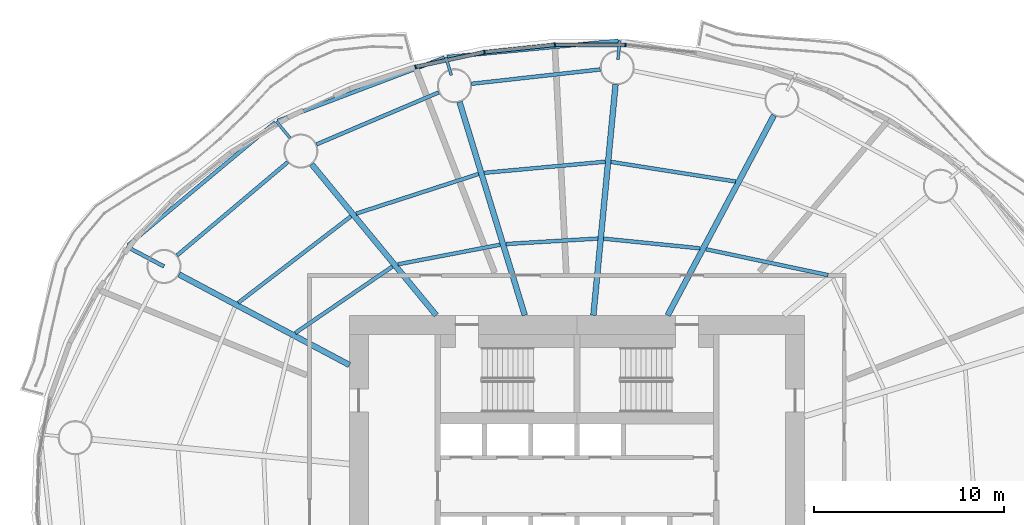
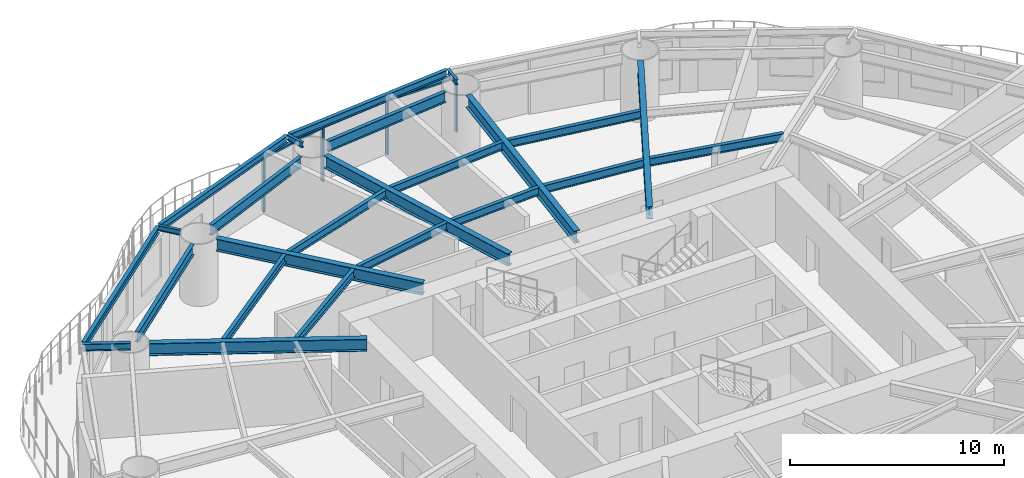
# One storey, part 5 of 16: 24 beams, 7 members, 3 elements without a shape of their own.
"""IFC4 building model written with IfcOpenShell, lengths in metres."""

from ifc_helpers import new_model, si_unit, direction, frame, origin, origin_2d, place, context, subcontext, project, spatial, rectangle, i_section, extrude, material, material_profile, profile_set, type_object, element, aggregate, save


model = new_model("IFC4")

# Units and contexts
model_context = context("Model", 3, precision=1e-05, world=origin(), true_north=direction((0.0, 1.0)))
body_context = subcontext(model_context, "Body", "Model", "MODEL_VIEW")
ifc_project = project(units=[si_unit("LENGTHUNIT", "METRE"), si_unit("AREAUNIT", "SQUARE_METRE"), si_unit("VOLUMEUNIT", "CUBIC_METRE"), si_unit("PLANEANGLEUNIT", "RADIAN"), si_unit("MASSUNIT", "GRAM", prefix="KILO")], contexts=[model_context])

# Site, building, storey
site_placement = place(None, origin())
site = spatial("IfcSite", under=ifc_project, at=site_placement, CompositionType="ELEMENT")
building_placement = place(site_placement, origin())
building = spatial("IfcBuilding", under=site, at=building_placement, Name="Vermilion Reach Broadcast Tower", CompositionType="ELEMENT")
storey_placement = place(building_placement, frame((0.0, 0.0, 47.10009765625)))
storey = spatial("IfcBuildingStorey", under=building, at=storey_placement, Name="L08", CompositionType="ELEMENT", Elevation=47.10009765625)

# Beams
ifc_material_1 = material(Name="Steel S355J2", Category="steel")
ifc_material_profile_1 = material_profile(ifc_material_1, i_section(OverallWidth=0.199951171875, OverallDepth=0.39990234375, WebThickness=0.008056640625, FlangeThickness=0.012939453125, at=origin_2d()), Name="S355J2 HN 400x200x8x13")
ifc_profile_set_1 = profile_set([ifc_material_profile_1], Name="Steel S355J2")
beam_type_1 = type_object("IfcBeamType", Name="EB1 HN 400x200x8x13", PredefinedType="BEAM", material=ifc_profile_set_1)
beam_1_placement = place(storey_placement, frame((-3.819091796875, 23.475341796875, 3.349853515625), z_axis=(-0.995521949385, -0.094530673821, 0.0), x_axis=(0.094530673821, -0.995521949385, 0.0)))
element("IfcBeam", 1, at=beam_1_placement, inside=storey, type_object=beam_type_1, Name="Edge beam EB1-04", PredefinedType="BEAM", context=body_context, shape_type="SweptSolid", body=[
    extrude(i_section(OverallWidth=0.199951171875, OverallDepth=0.39990234375, WebThickness=0.008056640625, FlangeThickness=0.012939453125, at=origin_2d()), origin(), (0.0, 0.0, 1.0), 9.0625),
])
beam_2_placement = place(storey_placement, frame((-12.987548828125, 22.584716796875, 3.349853515625), z_axis=(-0.935124251482, -0.354319960332, 0.0), x_axis=(0.354319960332, -0.935124251482, 0.0)))
element("IfcBeam", 2, at=beam_2_placement, inside=storey, type_object=beam_type_1, Name="Edge beam EB1-05", PredefinedType="BEAM", context=body_context, shape_type="SweptSolid", body=[
    extrude(i_section(OverallWidth=0.199951171875, OverallDepth=0.39990234375, WebThickness=0.008056640625, FlangeThickness=0.012939453125, at=origin_2d()), origin(), (0.0, 0.0, 1.0), 9.40185546875),
])
beam_3_placement = place(storey_placement, frame((-21.911376953125, 19.17724609375, 3.349853515625), z_axis=(-0.76740924852, -0.641157582257, 0.0), x_axis=(0.641157582257, -0.76740924852, 0.0)))
element("IfcBeam", 3, at=beam_3_placement, inside=storey, type_object=beam_type_1, Name="Edge beam EB1-06", PredefinedType="BEAM", context=body_context, shape_type="SweptSolid", body=[
    extrude(i_section(OverallWidth=0.199951171875, OverallDepth=0.39990234375, WebThickness=0.008056640625, FlangeThickness=0.012939453125, at=origin_2d()), origin(), (0.0, 0.0, 1.0), 10.111572265625),
])
ifc_material_2 = material(Name="Steel S355J2", Category="steel")
ifc_material_profile_2 = material_profile(ifc_material_2, i_section(OverallWidth=0.300048828125, OverallDepth=0.699951171875, WebThickness=0.012939453125, FlangeThickness=0.02392578125, at=origin_2d()), Name="S355J2 HN 700x300x13x24")
ifc_profile_set_2 = profile_set([ifc_material_profile_2], Name="Steel S355J2")
beam_type_2 = type_object("IfcBeamType", Name="G1 HN 700x300x13x24", PredefinedType="BEAM", material=ifc_profile_set_2)
beam_4_placement = place(storey_placement, frame((-1.216552734375, 9.0, 3.199951171875), z_axis=(0.469312182262, 0.883032318537, 0.0), x_axis=(-0.883032318537, 0.469312182262, 0.0)))
element("IfcBeam", 4, at=beam_4_placement, inside=storey, type_object=beam_type_2, Name="Girder G1-03", PredefinedType="BEAM", context=body_context, shape_type="SweptSolid", body=[
    extrude(i_section(OverallWidth=0.300048828125, OverallDepth=0.699951171875, WebThickness=0.012939453125, FlangeThickness=0.02392578125, at=origin_2d()), origin(), (0.0, 0.0, 1.0), 11.94091796875),
])
beam_5_placement = place(storey_placement, frame((-5.135009765625, 9.0, 3.199951171875), z_axis=(0.09566673912, 0.995413419151, 0.0), x_axis=(-0.995413419151, 0.09566673912, 0.0)))
element("IfcBeam", 5, at=beam_5_placement, inside=storey, type_object=beam_type_2, Name="Girder G1-04", PredefinedType="BEAM", context=body_context, shape_type="SweptSolid", body=[
    extrude(i_section(OverallWidth=0.300048828125, OverallDepth=0.699951171875, WebThickness=0.012939453125, FlangeThickness=0.02392578125, at=origin_2d()), origin(), (0.0, 0.0, 1.0), 12.22412109375),
])
beam_6_placement = place(storey_placement, frame((-8.753173828125, 9.0, 3.199951171875), z_axis=(-0.292542302886, 0.95625258223, 0.0), x_axis=(-0.95625258223, -0.292542302886, 0.0)))
element("IfcBeam", 6, at=beam_6_placement, inside=storey, type_object=beam_type_2, Name="Girder G1-05", PredefinedType="BEAM", context=body_context, shape_type="SweptSolid", body=[
    extrude(i_section(OverallWidth=0.300048828125, OverallDepth=0.699951171875, WebThickness=0.012939453125, FlangeThickness=0.02392578125, at=origin_2d()), origin(), (0.0, 0.0, 1.0), 11.76220703125),
])
beam_7_placement = place(storey_placement, frame((-13.421630859375, 9.0, 3.199951171875), z_axis=(-0.636215165107, 0.77151167437, 0.0), x_axis=(-0.77151167437, -0.636215165107, 0.0)))
element("IfcBeam", 7, at=beam_7_placement, inside=storey, type_object=beam_type_2, Name="Girder G1-06", PredefinedType="BEAM", context=body_context, shape_type="SweptSolid", body=[
    extrude(i_section(OverallWidth=0.300048828125, OverallDepth=0.699951171875, WebThickness=0.012939453125, FlangeThickness=0.02392578125, at=origin_2d()), origin(), (0.0, 0.0, 1.0), 10.3251953125),
])
beam_8_placement = place(storey_placement, frame((-18.0, 6.3779296875, 3.199951171875), z_axis=(-0.883032139419, 0.469312519279, 0.0), x_axis=(-0.469312519279, -0.883032139419, 0.0)))
element("IfcBeam", 8, at=beam_8_placement, inside=storey, type_object=beam_type_2, Name="Girder G1-07", PredefinedType="BEAM", context=body_context, shape_type="SweptSolid", body=[
    extrude(i_section(OverallWidth=0.300048828125, OverallDepth=0.699951171875, WebThickness=0.012939453125, FlangeThickness=0.02392578125, at=origin_2d()), origin(), (0.0, 0.0, 1.0), 10.17529296875),
])
ifc_material_3 = material(Name="Steel S355J2", Category="steel")
ifc_material_profile_3 = material_profile(ifc_material_3, i_section(OverallWidth=0.199951171875, OverallDepth=0.39990234375, WebThickness=0.008056640625, FlangeThickness=0.012939453125, at=origin_2d()), Name="S355J2 HN 400x200x8x13")
ifc_profile_set_3 = profile_set([ifc_material_profile_3], Name="Steel S355J2")
beam_type_3 = type_object("IfcBeamType", Name="GC1 HN 400x200x8x13", PredefinedType="BEAM", material=ifc_profile_set_3)
beam_9_placement = place(storey_placement, frame((-27.77978515625, 11.57568359375, 3.349853515625), z_axis=(-0.883056325824, 0.469267008665, 0.0), x_axis=(-0.469267008665, -0.883056325824, 0.0)))
element("IfcBeam", 9, at=beam_9_placement, inside=storey, type_object=beam_type_3, Name="Cantilever girder GC1-07", PredefinedType="BEAM", context=body_context, shape_type="SweptSolid", body=[
    extrude(i_section(OverallWidth=0.199951171875, OverallDepth=0.39990234375, WebThickness=0.008056640625, FlangeThickness=0.012939453125, at=origin_2d()), origin(), (0.0, 0.0, 1.0), 2.235595703125),
])
ifc_material_4 = material(Name="Steel S355J2", Category="steel")
ifc_material_profile_4 = material_profile(ifc_material_4, i_section(OverallWidth=0.14990234375, OverallDepth=0.300048828125, WebThickness=0.006591796875, FlangeThickness=0.009033203125, at=origin_2d()), Name="S355J2 HN 300x150x6.5x9")
ifc_profile_set_4 = profile_set([ifc_material_profile_4], Name="Steel S355J2")
beam_type_4 = type_object("IfcBeamType", Name="GS1 HN 300x150x6.5x9", PredefinedType="BEAM", material=ifc_profile_set_4)
for number, where, z_axis, x_axis, name in (
    (10, (-3.838623046875, 22.487060546875, 3.39990234375), (0.095707754417, 0.995409476419, 0.0), (-0.995409476419, 0.095707754417, 0.0), "Cantilever stub GS1-04"),
    (11, (-12.624755859375, 21.655029296875, 3.39990234375), (-0.292472824594, 0.95627383467, 0.0), (-0.95627383467, -0.292472824594, 0.0), "Cantilever stub GS1-05"),
):
    element("IfcBeam", number, at=place(storey_placement, frame(where, z_axis=z_axis, x_axis=x_axis)), inside=storey, type_object=beam_type_4, Name=name, PredefinedType="BEAM", context=body_context, shape_type="SweptSolid", body=[
        extrude(i_section(OverallWidth=0.14990234375, OverallDepth=0.300048828125, WebThickness=0.006591796875, FlangeThickness=0.009033203125, at=origin_2d()), origin(), (0.0, 0.0, 1.0), 1.0),
    ])
beam_10_placement = place(storey_placement, frame((-21.1357421875, 18.354736328125, 3.39990234375), z_axis=(-0.636260656267, 0.771474158534, 0.0), x_axis=(-0.771474158534, -0.636260656267, 0.0)))
element("IfcBeam", 12, at=beam_10_placement, inside=storey, type_object=beam_type_4, Name="Cantilever stub GS1-06", PredefinedType="BEAM", context=body_context, shape_type="SweptSolid", body=[
    extrude(i_section(OverallWidth=0.14990234375, OverallDepth=0.300048828125, WebThickness=0.006591796875, FlangeThickness=0.009033203125, at=origin_2d()), origin(), (0.0, 0.0, 1.0), 1.12841796875),
])
ifc_material_5 = material(Name="Steel S355J2", Category="steel")
ifc_material_profile_5 = material_profile(ifc_material_5, i_section(OverallWidth=0.199951171875, OverallDepth=0.60009765625, WebThickness=0.010986328125, FlangeThickness=0.01708984375, at=origin_2d()), Name="S355J2 HN 600x200x11x17")
ifc_profile_set_5 = profile_set([ifc_material_profile_5], Name="Steel S355J2")
beam_type_5 = type_object("IfcBeamType", Name="RB1 HN 600x200x11x17", PredefinedType="BEAM", material=ifc_profile_set_5)
beam_11_placement = place(storey_placement, frame((-4.77392578125, 21.964111328125, 3.25), z_axis=(-0.993851439324, -0.110721798009, 0.0), x_axis=(0.110721798009, -0.993851439324, 0.0)))
element("IfcBeam", 13, at=beam_11_placement, inside=storey, type_object=beam_type_5, Name="Ring beam RB1-04", PredefinedType="BEAM", context=body_context, shape_type="SweptSolid", body=[
    extrude(i_section(OverallWidth=0.199951171875, OverallDepth=0.60009765625, WebThickness=0.010986328125, FlangeThickness=0.01708984375, at=origin_2d()), origin(), (0.0, 0.0, 1.0), 6.8310546875),
])
beam_12_placement = place(storey_placement, frame((-13.28564453125, 20.755859375, 3.25), z_axis=(-0.920220846584, -0.391399531825, 0.0), x_axis=(0.391399531825, -0.920220846584, 0.0)))
element("IfcBeam", 14, at=beam_12_placement, inside=storey, type_object=beam_type_5, Name="Ring beam RB1-05", PredefinedType="BEAM", context=body_context, shape_type="SweptSolid", body=[
    extrude(i_section(OverallWidth=0.199951171875, OverallDepth=0.60009765625, WebThickness=0.010986328125, FlangeThickness=0.01708984375, at=origin_2d()), origin(), (0.0, 0.0, 1.0), 7.008544921875),
])
beam_13_placement = place(storey_placement, frame((-21.251220703125, 17.080322265625, 3.25), z_axis=(-0.764512441084, -0.6446089725, 0.0), x_axis=(0.6446089725, -0.764512441084, 0.0)))
element("IfcBeam", 15, at=beam_13_placement, inside=storey, type_object=beam_type_5, Name="Ring beam RB1-06", PredefinedType="BEAM", context=body_context, shape_type="SweptSolid", body=[
    extrude(i_section(OverallWidth=0.199951171875, OverallDepth=0.60009765625, WebThickness=0.010986328125, FlangeThickness=0.01708984375, at=origin_2d()), origin(), (0.0, 0.0, 1.0), 7.6396484375),
])
ifc_material_6 = material(Name="Steel S355J2", Category="steel")
ifc_material_profile_6 = material_profile(ifc_material_6, i_section(OverallWidth=0.199951171875, OverallDepth=0.449951171875, WebThickness=0.009033203125, FlangeThickness=0.013916015625, at=origin_2d()), Name="S355J2 HN 450x200x9x14")
ifc_profile_set_6 = profile_set([ifc_material_profile_6], Name="Steel S355J2")
beam_type_6 = type_object("IfcBeamType", Name="SB1 HN 450x200x9x14", PredefinedType="BEAM", material=ifc_profile_set_6)
beam_14_placement = place(storey_placement, frame((7.24560546875, 11.1171875, 3.324951171875), z_axis=(-0.978270372412, 0.207333254596, 0.0), x_axis=(-0.207333254596, -0.978270372412, 0.0)))
element("IfcBeam", 16, at=beam_14_placement, inside=storey, type_object=beam_type_6, Name="Secondary beam SB1-02-1", PredefinedType="BEAM", context=body_context, shape_type="SweptSolid", body=[
    extrude(i_section(OverallWidth=0.199951171875, OverallDepth=0.449951171875, WebThickness=0.009033203125, FlangeThickness=0.013916015625, at=origin_2d()), origin(), (0.0, 0.0, 1.0), 6.584716796875),
])
beam_15_placement = place(storey_placement, frame((0.490234375, 12.531005859375, 3.324951171875), z_axis=(-0.995010199331, 0.099773259079, 0.0), x_axis=(-0.099773259079, -0.995010199331, 0.0)))
element("IfcBeam", 17, at=beam_15_placement, inside=storey, type_object=beam_type_6, Name="Secondary beam SB1-03-1", PredefinedType="BEAM", context=body_context, shape_type="SweptSolid", body=[
    extrude(i_section(OverallWidth=0.199951171875, OverallDepth=0.449951171875, WebThickness=0.009033203125, FlangeThickness=0.013916015625, at=origin_2d()), origin(), (0.0, 0.0, 1.0), 5.111572265625),
])
beam_16_placement = place(storey_placement, frame((2.36279296875, 16.05419921875, 3.324951171875), z_axis=(-0.987829548379, 0.155540294938, 0.0), x_axis=(-0.155540294938, -0.987829548379, 0.0)))
element("IfcBeam", 18, at=beam_16_placement, inside=storey, type_object=beam_type_6, Name="Secondary beam SB1-03-2", PredefinedType="BEAM", context=body_context, shape_type="SweptSolid", body=[
    extrude(i_section(OverallWidth=0.199951171875, OverallDepth=0.449951171875, WebThickness=0.009033203125, FlangeThickness=0.013916015625, at=origin_2d()), origin(), (0.0, 0.0, 1.0), 6.650634765625),
])
beam_17_placement = place(storey_placement, frame((-4.896728515625, 13.046875, 3.324951171875), z_axis=(-0.99823410974, -0.059402543307, 0.0), x_axis=(0.059402543307, -0.99823410974, 0.0)))
element("IfcBeam", 19, at=beam_17_placement, inside=storey, type_object=beam_type_6, Name="Secondary beam SB1-04-1", PredefinedType="BEAM", context=body_context, shape_type="SweptSolid", body=[
    extrude(i_section(OverallWidth=0.199951171875, OverallDepth=0.449951171875, WebThickness=0.009033203125, FlangeThickness=0.013916015625, at=origin_2d()), origin(), (0.0, 0.0, 1.0), 4.85791015625),
])
beam_18_placement = place(storey_placement, frame((-4.50732421875, 17.09814453125, 3.324951171875), z_axis=(-0.995818616382, -0.091352521952, 0.0), x_axis=(0.091352521952, -0.995818616382, 0.0)))
element("IfcBeam", 20, at=beam_18_placement, inside=storey, type_object=beam_type_6, Name="Secondary beam SB1-04-2", PredefinedType="BEAM", context=body_context, shape_type="SweptSolid", body=[
    extrude(i_section(OverallWidth=0.199951171875, OverallDepth=0.449951171875, WebThickness=0.009033203125, FlangeThickness=0.013916015625, at=origin_2d()), origin(), (0.0, 0.0, 1.0), 6.4140625),
])
beam_19_placement = place(storey_placement, frame((-10.04833984375, 12.720703125, 3.324951171875), z_axis=(-0.982151348822, -0.188092339045, 0.0), x_axis=(0.188092339045, -0.982151348822, 0.0)))
element("IfcBeam", 21, at=beam_19_placement, inside=storey, type_object=beam_type_6, Name="Secondary beam SB1-05-1", PredefinedType="BEAM", context=body_context, shape_type="SweptSolid", body=[
    extrude(i_section(OverallWidth=0.199951171875, OverallDepth=0.449951171875, WebThickness=0.009033203125, FlangeThickness=0.013916015625, at=origin_2d()), origin(), (0.0, 0.0, 1.0), 5.4931640625),
])
beam_20_placement = place(storey_placement, frame((-11.18994140625, 16.4521484375, 3.324951171875), z_axis=(-0.951332300844, -0.308166924523, 0.0), x_axis=(0.308166924523, -0.951332300844, 0.0)))
element("IfcBeam", 22, at=beam_20_placement, inside=storey, type_object=beam_type_6, Name="Secondary beam SB1-05-2", PredefinedType="BEAM", context=body_context, shape_type="SweptSolid", body=[
    extrude(i_section(OverallWidth=0.199951171875, OverallDepth=0.449951171875, WebThickness=0.009033203125, FlangeThickness=0.013916015625, at=origin_2d()), origin(), (0.0, 0.0, 1.0), 6.787841796875),
])
beam_21_placement = place(storey_placement, frame((-15.735595703125, 11.5703125, 3.324951171875), z_axis=(-0.825140253447, -0.564927926502, 0.0), x_axis=(0.564927926502, -0.825140253447, 0.0)))
element("IfcBeam", 23, at=beam_21_placement, inside=storey, type_object=beam_type_6, Name="Secondary beam SB1-06-1", PredefinedType="BEAM", context=body_context, shape_type="SweptSolid", body=[
    extrude(i_section(OverallWidth=0.199951171875, OverallDepth=0.449951171875, WebThickness=0.009033203125, FlangeThickness=0.013916015625, at=origin_2d()), origin(), (0.0, 0.0, 1.0), 6.20458984375),
])
beam_22_placement = place(storey_placement, frame((-17.920166015625, 14.21923828125, 3.324951171875), z_axis=(-0.793349617473, -0.60876628065, 0.0), x_axis=(0.60876628065, -0.793349617473, 0.0)))
element("IfcBeam", 24, at=beam_22_placement, inside=storey, type_object=beam_type_6, Name="Secondary beam SB1-06-2", PredefinedType="BEAM", context=body_context, shape_type="SweptSolid", body=[
    extrude(i_section(OverallWidth=0.199951171875, OverallDepth=0.449951171875, WebThickness=0.009033203125, FlangeThickness=0.013916015625, at=origin_2d()), origin(), (0.0, 0.0, 1.0), 7.486328125),
])

# Curtain wall, member
ifc_material_7 = material(Name="Low-e laminated clear glass in aluminium frame", Category="aluminium")
curtain_wall_type = type_object("IfcCurtainWallType", Name="Slot curtain wall", PredefinedType="NOTDEFINED", material=ifc_material_7)
placement = place(storey_placement, origin())
curtain_wall_1 = element("IfcCurtainWall", 25, at=placement, inside=storey, type_object=curtain_wall_type, Name="Slot curtain wall L08 11", PredefinedType="NOTDEFINED")
ifc_material_8 = material(Name="Anodised aluminium", Category="aluminium")
ifc_material_profile_7 = material_profile(ifc_material_8, rectangle(XDim=0.199951171875, YDim=0.080078125, at=origin_2d()), Name="Slot mullion 80 x 200")
ifc_profile_set_7 = profile_set([ifc_material_profile_7], Name="Anodised aluminium")
member_type_1 = type_object("IfcMemberType", Name="Slot mullion 80 x 200", PredefinedType="MULLION", material=ifc_profile_set_7)
member_1_placement = place(storey_placement, frame((-3.438720703125, 23.253662109375, 0.0), z_axis=(0.0, 0.0, 1.0), x_axis=(-0.057319037153, -0.998355912478, 0.0)))
member_1 = element("IfcMember", 26, at=member_1_placement, type_object=member_type_1, Name="Slot mullion L08 11", PredefinedType="MULLION", context=body_context, shape_type="SweptSolid", body=[
    extrude(rectangle(XDim=0.199951171875, YDim=0.080078125, at=origin_2d()), origin(), (0.0, 0.0, 1.0), 3.14990234375),
])

curtain_wall_2 = element("IfcCurtainWall", 27, at=placement, inside=storey, type_object=curtain_wall_type, Name="Slot curtain wall L08 12", PredefinedType="NOTDEFINED")
member_2_placement = place(storey_placement, frame((-7.17041015625, 23.266357421875, 0.0), z_axis=(0.0, 0.0, 1.0), x_axis=(0.05024435625, -0.998736954691, 0.0)))
member_2 = element("IfcMember", 28, at=member_2_placement, type_object=member_type_1, Name="Slot mullion L08 12", PredefinedType="MULLION", context=body_context, shape_type="SweptSolid", body=[
    extrude(rectangle(XDim=0.199951171875, YDim=0.080078125, at=origin_2d()), origin(), (0.0, 0.0, 1.0), 3.14990234375),
])

# Curtain wall, members
curtain_wall_3 = element("IfcCurtainWall", 29, at=placement, inside=storey, type_object=curtain_wall_type, Name="Slot curtain wall L08 13", PredefinedType="NOTDEFINED")
member_3_placement = place(storey_placement, frame((-10.882080078125, 22.879150390625, 0.0), z_axis=(0.0, 0.0, 1.0), x_axis=(0.157226221201, -0.987562613391, 0.0)))
member_3 = element("IfcMember", 30, at=member_3_placement, type_object=member_type_1, Name="Slot mullion L08 13", PredefinedType="MULLION", context=body_context, shape_type="SweptSolid", body=[
    extrude(rectangle(XDim=0.199951171875, YDim=0.080078125, at=origin_2d()), origin(), (0.0, 0.0, 1.0), 3.14990234375),
])
member_4_placement = place(storey_placement, frame((-14.509521484375, 22.09912109375, 0.0), z_axis=(0.0, 0.0, 1.0), x_axis=(0.263553180874, -0.964644867737, 0.0)))
member_4 = element("IfcMember", 31, at=member_4_placement, type_object=member_type_1, Name="Slot mullion L08 14", PredefinedType="MULLION", context=body_context, shape_type="SweptSolid", body=[
    extrude(rectangle(XDim=0.199951171875, YDim=0.080078125, at=origin_2d()), origin(), (0.0, 0.0, 1.0), 3.14990234375),
])

# Member
ifc_material_9 = material(Name="Anodised aluminium", Category="aluminium")
ifc_material_profile_8 = material_profile(ifc_material_9, rectangle(XDim=0.199951171875, YDim=0.10009765625, at=origin_2d()), Name="Slot transom 200 x 100")
ifc_profile_set_8 = profile_set([ifc_material_profile_8], Name="Anodised aluminium")
member_type_2 = type_object("IfcMemberType", Name="Slot transom 200 x 100", PredefinedType="USERDEFINED", material=ifc_profile_set_8)
member_5_placement = place(storey_placement, frame((-3.478759765625, 23.25390625, 3.099853515625), z_axis=(-0.999994412502, 0.003342897682, 0.0), x_axis=(-0.003342897682, -0.999994412502, 0.0)))
member_5 = element("IfcMember", 32, at=member_5_placement, type_object=member_type_2, Name="Slot transom L08 11.1", ObjectType="TRANSOM", PredefinedType="USERDEFINED", context=body_context, shape_type="SweptSolid", body=[
    extrude(rectangle(XDim=0.199951171875, YDim=0.10009765625, at=origin_2d()), origin(), (0.0, 0.0, 1.0), 3.651611328125),
])

aggregate(curtain_wall_1, [member_1, member_5])

member_6_placement = place(storey_placement, frame((-7.210205078125, 23.26220703125, 3.099853515625), z_axis=(-0.994602465595, -0.103759025785, 0.0), x_axis=(0.103759025785, -0.994602465595, 0.0)))
member_6 = element("IfcMember", 33, at=member_6_placement, type_object=member_type_2, Name="Slot transom L08 12.1", ObjectType="TRANSOM", PredefinedType="USERDEFINED", context=body_context, shape_type="SweptSolid", body=[
    extrude(rectangle(XDim=0.199951171875, YDim=0.10009765625, at=origin_2d()), origin(), (0.0, 0.0, 1.0), 3.65185546875),
])

aggregate(curtain_wall_2, [member_2, member_6])

member_7_placement = place(storey_placement, frame((-10.921142578125, 22.870849609375, 3.099853515625), z_axis=(-0.977637756698, -0.210296021545, 0.0), x_axis=(0.210296021545, -0.977637756698, 0.0)))
member_7 = element("IfcMember", 34, at=member_7_placement, type_object=member_type_2, Name="Slot transom L08 13.1", ObjectType="TRANSOM", PredefinedType="USERDEFINED", context=body_context, shape_type="SweptSolid", body=[
    extrude(rectangle(XDim=0.199951171875, YDim=0.10009765625, at=origin_2d()), origin(), (0.0, 0.0, 1.0), 3.63037109375),
])

aggregate(curtain_wall_3, [member_3, member_4, member_7])

save(model, "model.ifc")
